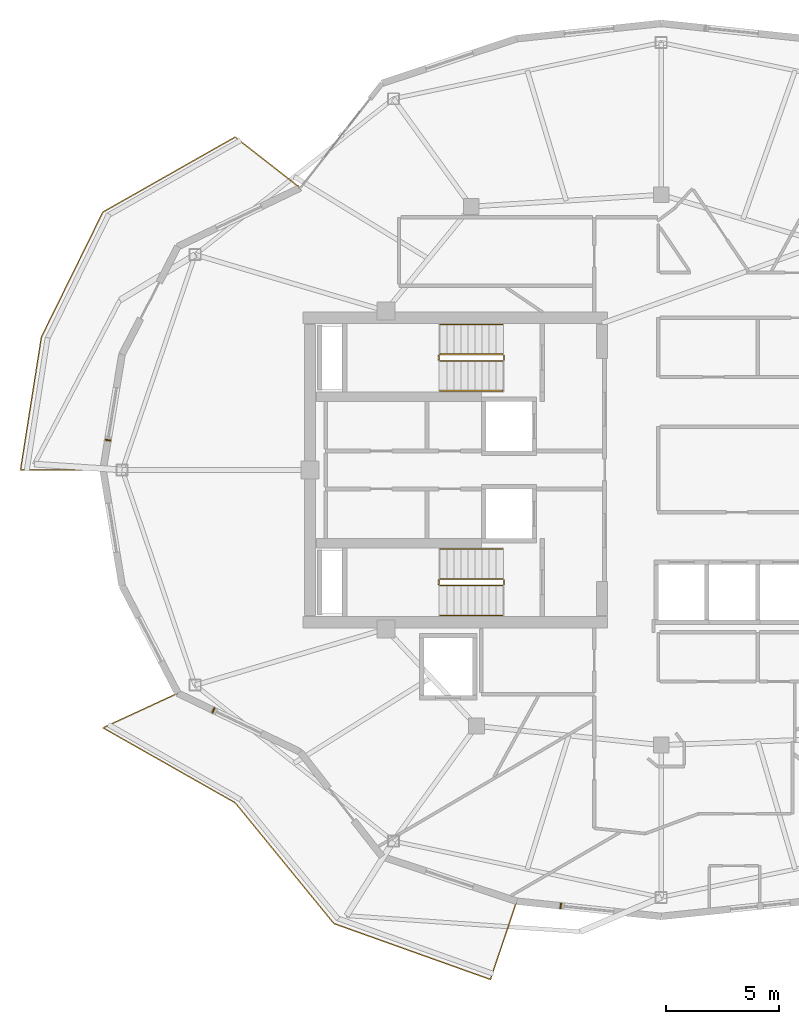
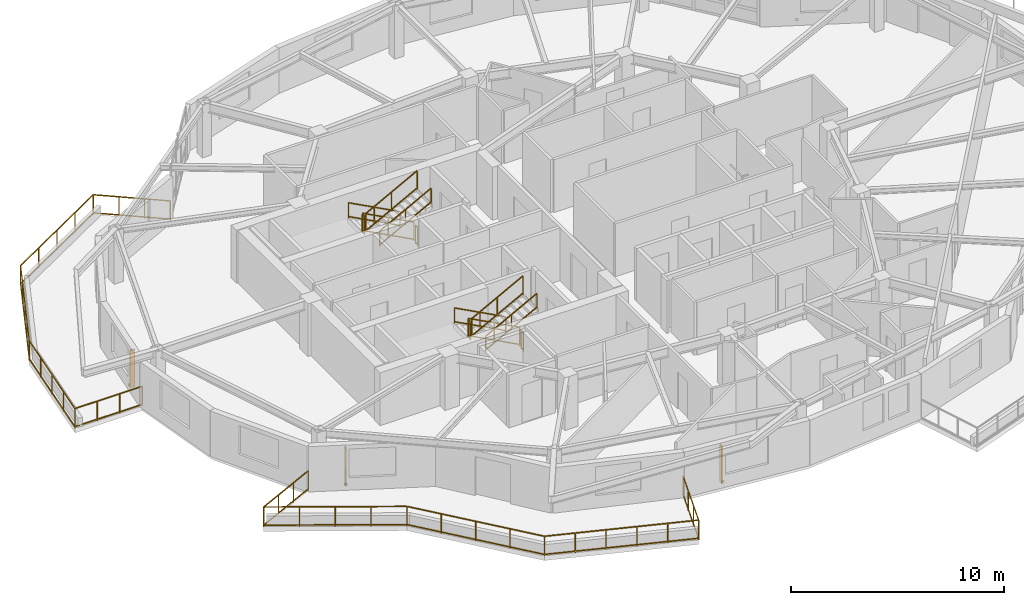
# One storey, part 10 of 12: 14 railings, 3 shading devices.
"""IFC4 building model written with IfcOpenShell, lengths in metres."""

from ifc_helpers import new_model, si_unit, direction, frame, origin, origin_2d, place, context, subcontext, project, spatial, rectangle, extrude, material, type_object, element, save


model = new_model("IFC4")

# Units and contexts
model_context = context("Model", 3, precision=1e-05, world=origin(), true_north=direction((0.0, 1.0)))
body_context = subcontext(model_context, "Body", "Model", "MODEL_VIEW")
ifc_project = project(units=[si_unit("LENGTHUNIT", "METRE"), si_unit("AREAUNIT", "SQUARE_METRE"), si_unit("VOLUMEUNIT", "CUBIC_METRE"), si_unit("PLANEANGLEUNIT", "RADIAN"), si_unit("MASSUNIT", "GRAM", prefix="KILO")], contexts=[model_context])

# Site, building, storey
site_placement = place(None, origin())
site = spatial("IfcSite", under=ifc_project, at=site_placement, CompositionType="ELEMENT")
building_placement = place(site_placement, origin())
building = spatial("IfcBuilding", under=site, at=building_placement, Name="Kolvaren Gate Tower and Convention Centre", CompositionType="ELEMENT")
storey_placement = place(building_placement, frame((0.0, 0.0, 199.699951171875)))
storey = spatial("IfcBuildingStorey", under=building, at=storey_placement, Name="L52", CompositionType="ELEMENT", Elevation=199.699951171875)

# Railings
ifc_material_1 = material(Name="Brushed Stainless Steel Grade 316L", Category="steel")
railing_type_1 = type_object("IfcRailingType", Name="ARCH-RL-GUARD-1150", PredefinedType="GUARDRAIL", material=ifc_material_1)
railing_1_placement = place(storey_placement, frame((23.10009765625, 32.1298828125, 0.1650390625)))
element("IfcRailing", 1, at=railing_1_placement, inside=storey, type_object=railing_type_1, Name="L52 ST-T1 stair guard 1", PredefinedType="GUARDRAIL", context=body_context, shape_type="SweptSolid", body=[
    extrude(rectangle(XDim=0.048095703125, YDim=0.048095703125, at=origin_2d()), frame((0.0, 0.0, 1.076171875), z_axis=(-0.882735390775, 0.0, 0.469870439454), x_axis=(0.0, -1.0, 0.0)), (0.0, 0.0, 1.0), 3.16064453125),
    extrude(rectangle(XDim=0.048095703125, YDim=0.048095703125, at=origin_2d()), frame((0.0, 0.0, 0.083984375), z_axis=(-0.882735390775, 0.0, 0.469870439454), x_axis=(0.0, -1.0, 0.0)), (0.0, 0.0, 1.0), 3.16064453125),
    extrude(rectangle(XDim=0.0419921875, YDim=0.0419921875, at=origin_2d()), origin(), (0.0, 0.0, 1.0), 1.050048828125),
    extrude(rectangle(XDim=0.0419921875, YDim=0.0419921875, at=origin_2d()), frame((-2.7900390625, 0.0, 1.485107421875)), (0.0, 0.0, 1.0), 1.050048828125),
    extrude(rectangle(XDim=0.0419921875, YDim=0.0419921875, at=origin_2d()), frame((-1.39501953125, 0.0, 0.74267578125)), (0.0, 0.0, 1.0), 1.050048828125),
])
railing_2_placement = place(storey_placement, frame((20.260009765625, 32.080078125, 1.650146484375)))
element("IfcRailing", 2, at=railing_2_placement, inside=storey, type_object=railing_type_1, Name="L52 ST-T1 stair guard 2", PredefinedType="GUARDRAIL", context=body_context, shape_type="SweptSolid", body=[
    extrude(rectangle(XDim=0.048095703125, YDim=0.048095703125, at=origin_2d()), frame((0.0, 0.0, 1.076171875), z_axis=(0.0, -1.0, 0.0), x_axis=(1.0, 0.0, 0.0)), (0.0, 0.0, 1.0), 0.2001953125),
    extrude(rectangle(XDim=0.048095703125, YDim=0.048095703125, at=origin_2d()), frame((0.0, 0.0, 0.083984375), z_axis=(0.0, -1.0, 0.0), x_axis=(1.0, 0.0, 0.0)), (0.0, 0.0, 1.0), 0.2001953125),
    extrude(rectangle(XDim=0.0419921875, YDim=0.0419921875, at=origin_2d()), origin(), (0.0, 0.0, 1.0), 1.050048828125),
    extrude(rectangle(XDim=0.0419921875, YDim=0.0419921875, at=origin_2d()), frame((0.0, -0.2001953125, 0.0)), (0.0, 0.0, 1.0), 1.050048828125),
])
railing_3_placement = place(storey_placement, frame((20.31005859375, 31.830078125, 1.81494140625)))
element("IfcRailing", 3, at=railing_3_placement, inside=storey, type_object=railing_type_1, Name="L52 ST-T1 stair guard 3", PredefinedType="GUARDRAIL", context=body_context, shape_type="SweptSolid", body=[
    extrude(rectangle(XDim=0.048095703125, YDim=0.048095703125, at=origin_2d()), frame((0.0, 0.0, 1.076171875), z_axis=(0.882735390775, 0.0, 0.469870439454), x_axis=(0.0, 1.0, 0.0)), (0.0, 0.0, 1.0), 3.16064453125),
    extrude(rectangle(XDim=0.048095703125, YDim=0.048095703125, at=origin_2d()), frame((0.0, 0.0, 0.083984375), z_axis=(0.882735390775, 0.0, 0.469870439454), x_axis=(0.0, 1.0, 0.0)), (0.0, 0.0, 1.0), 3.16064453125),
    extrude(rectangle(XDim=0.0419921875, YDim=0.0419921875, at=origin_2d()), origin(), (0.0, 0.0, 1.0), 1.050048828125),
    extrude(rectangle(XDim=0.0419921875, YDim=0.0419921875, at=origin_2d()), frame((2.7900390625, 0.0, 1.485107421875)), (0.0, 0.0, 1.0), 1.050048828125),
    extrude(rectangle(XDim=0.0419921875, YDim=0.0419921875, at=origin_2d()), frame((1.39501953125, 0.0, 0.74267578125)), (0.0, 0.0, 1.0), 1.050048828125),
])
railing_4_placement = place(storey_placement, frame((23.14990234375, 32.080078125, 0.0)))
element("IfcRailing", 4, at=railing_4_placement, inside=storey, type_object=railing_type_1, Name="L52 ST-T1 stair guard 4", PredefinedType="GUARDRAIL", context=body_context, shape_type="SweptSolid", body=[
    extrude(rectangle(XDim=0.048095703125, YDim=0.048095703125, at=origin_2d()), frame((0.0, 0.0, 1.076171875), z_axis=(0.0, -1.0, 0.0), x_axis=(1.0, 0.0, 0.0)), (0.0, 0.0, 1.0), 0.2001953125),
    extrude(rectangle(XDim=0.048095703125, YDim=0.048095703125, at=origin_2d()), frame((0.0, 0.0, 0.083984375), z_axis=(0.0, -1.0, 0.0), x_axis=(1.0, 0.0, 0.0)), (0.0, 0.0, 1.0), 0.2001953125),
    extrude(rectangle(XDim=0.0419921875, YDim=0.0419921875, at=origin_2d()), origin(), (0.0, 0.0, 1.0), 1.050048828125),
    extrude(rectangle(XDim=0.0419921875, YDim=0.0419921875, at=origin_2d()), frame((0.0, -0.2001953125, 0.0)), (0.0, 0.0, 1.0), 1.050048828125),
])
railing_5_placement = place(storey_placement, frame((23.10009765625, 22.169921875, 0.1650390625)))
element("IfcRailing", 5, at=railing_5_placement, inside=storey, type_object=railing_type_1, Name="L52 ST-T2 stair guard 1", PredefinedType="GUARDRAIL", context=body_context, shape_type="SweptSolid", body=[
    extrude(rectangle(XDim=0.048095703125, YDim=0.048095703125, at=origin_2d()), frame((0.0, 0.0, 1.076171875), z_axis=(-0.882735390775, 0.0, 0.469870439454), x_axis=(0.0, -1.0, 0.0)), (0.0, 0.0, 1.0), 3.16064453125),
    extrude(rectangle(XDim=0.048095703125, YDim=0.048095703125, at=origin_2d()), frame((0.0, 0.0, 0.083984375), z_axis=(-0.882735390775, 0.0, 0.469870439454), x_axis=(0.0, -1.0, 0.0)), (0.0, 0.0, 1.0), 3.16064453125),
    extrude(rectangle(XDim=0.0419921875, YDim=0.0419921875, at=origin_2d()), origin(), (0.0, 0.0, 1.0), 1.050048828125),
    extrude(rectangle(XDim=0.0419921875, YDim=0.0419921875, at=origin_2d()), frame((-2.7900390625, 0.0, 1.485107421875)), (0.0, 0.0, 1.0), 1.050048828125),
    extrude(rectangle(XDim=0.0419921875, YDim=0.0419921875, at=origin_2d()), frame((-1.39501953125, 0.0, 0.74267578125)), (0.0, 0.0, 1.0), 1.050048828125),
])
railing_6_placement = place(storey_placement, frame((20.260009765625, 22.1201171875, 1.650146484375)))
element("IfcRailing", 6, at=railing_6_placement, inside=storey, type_object=railing_type_1, Name="L52 ST-T2 stair guard 2", PredefinedType="GUARDRAIL", context=body_context, shape_type="SweptSolid", body=[
    extrude(rectangle(XDim=0.048095703125, YDim=0.048095703125, at=origin_2d()), frame((0.0, 0.0, 1.076171875), z_axis=(0.0, -1.0, 0.0), x_axis=(1.0, 0.0, 0.0)), (0.0, 0.0, 1.0), 0.2001953125),
    extrude(rectangle(XDim=0.048095703125, YDim=0.048095703125, at=origin_2d()), frame((0.0, 0.0, 0.083984375), z_axis=(0.0, -1.0, 0.0), x_axis=(1.0, 0.0, 0.0)), (0.0, 0.0, 1.0), 0.2001953125),
    extrude(rectangle(XDim=0.0419921875, YDim=0.0419921875, at=origin_2d()), origin(), (0.0, 0.0, 1.0), 1.050048828125),
    extrude(rectangle(XDim=0.0419921875, YDim=0.0419921875, at=origin_2d()), frame((0.0, -0.2001953125, 0.0)), (0.0, 0.0, 1.0), 1.050048828125),
])
railing_7_placement = place(storey_placement, frame((20.31005859375, 21.8701171875, 1.81494140625)))
element("IfcRailing", 7, at=railing_7_placement, inside=storey, type_object=railing_type_1, Name="L52 ST-T2 stair guard 3", PredefinedType="GUARDRAIL", context=body_context, shape_type="SweptSolid", body=[
    extrude(rectangle(XDim=0.048095703125, YDim=0.048095703125, at=origin_2d()), frame((0.0, 0.0, 1.076171875), z_axis=(0.882735390775, 0.0, 0.469870439454), x_axis=(0.0, 1.0, 0.0)), (0.0, 0.0, 1.0), 3.16064453125),
    extrude(rectangle(XDim=0.048095703125, YDim=0.048095703125, at=origin_2d()), frame((0.0, 0.0, 0.083984375), z_axis=(0.882735390775, 0.0, 0.469870439454), x_axis=(0.0, 1.0, 0.0)), (0.0, 0.0, 1.0), 3.16064453125),
    extrude(rectangle(XDim=0.0419921875, YDim=0.0419921875, at=origin_2d()), origin(), (0.0, 0.0, 1.0), 1.050048828125),
    extrude(rectangle(XDim=0.0419921875, YDim=0.0419921875, at=origin_2d()), frame((2.7900390625, 0.0, 1.485107421875)), (0.0, 0.0, 1.0), 1.050048828125),
    extrude(rectangle(XDim=0.0419921875, YDim=0.0419921875, at=origin_2d()), frame((1.39501953125, 0.0, 0.74267578125)), (0.0, 0.0, 1.0), 1.050048828125),
])
railing_8_placement = place(storey_placement, frame((23.14990234375, 22.1201171875, 0.0)))
element("IfcRailing", 8, at=railing_8_placement, inside=storey, type_object=railing_type_1, Name="L52 ST-T2 stair guard 4", PredefinedType="GUARDRAIL", context=body_context, shape_type="SweptSolid", body=[
    extrude(rectangle(XDim=0.048095703125, YDim=0.048095703125, at=origin_2d()), frame((0.0, 0.0, 1.076171875), z_axis=(0.0, -1.0, 0.0), x_axis=(1.0, 0.0, 0.0)), (0.0, 0.0, 1.0), 0.2001953125),
    extrude(rectangle(XDim=0.048095703125, YDim=0.048095703125, at=origin_2d()), frame((0.0, 0.0, 0.083984375), z_axis=(0.0, -1.0, 0.0), x_axis=(1.0, 0.0, 0.0)), (0.0, 0.0, 1.0), 0.2001953125),
    extrude(rectangle(XDim=0.0419921875, YDim=0.0419921875, at=origin_2d()), origin(), (0.0, 0.0, 1.0), 1.050048828125),
    extrude(rectangle(XDim=0.0419921875, YDim=0.0419921875, at=origin_2d()), frame((0.0, -0.2001953125, 0.0)), (0.0, 0.0, 1.0), 1.050048828125),
])
railing_9_placement = place(storey_placement, frame((14.117431640625, 39.50732421875, 0.0)))
element("IfcRailing", 9, at=railing_9_placement, inside=storey, type_object=railing_type_1, Name="Tower L52 Terrace Perimeter Guardrail GR-2", PredefinedType="GUARDRAIL", context=body_context, shape_type="SweptSolid", body=[
    extrude(rectangle(XDim=0.048095703125, YDim=0.048095703125, at=origin_2d()), frame((-0.022216796875, 0.017333984375, 1.1259765625), z_axis=(-0.787988976981, 0.61568934712, 0.0), x_axis=(-0.61568934712, -0.787988976981, 0.0)), (0.0, 0.0, 1.0), 3.60400390625),
    extrude(rectangle(XDim=0.048095703125, YDim=0.048095703125, at=origin_2d()), frame((-0.022216796875, 0.017333984375, 0.083984375), z_axis=(-0.787988976981, 0.61568934712, 0.0), x_axis=(-0.61568934712, -0.787988976981, 0.0)), (0.0, 0.0, 1.0), 3.60400390625),
    extrude(rectangle(XDim=0.048095703125, YDim=0.048095703125, at=origin_2d()), frame((-2.908447265625, 2.239501953125, 1.1259765625), z_axis=(-0.869876155964, -0.493270182846, 0.0), x_axis=(0.493270182846, -0.869876155964, 0.0)), (0.0, 0.0, 1.0), 6.6865234375),
    extrude(rectangle(XDim=0.048095703125, YDim=0.048095703125, at=origin_2d()), frame((-2.908447265625, 2.239501953125, 0.083984375), z_axis=(-0.869876155964, -0.493270182846, 0.0), x_axis=(0.493270182846, -0.869876155964, 0.0)), (0.0, 0.0, 1.0), 6.6865234375),
    extrude(rectangle(XDim=0.048095703125, YDim=0.048095703125, at=origin_2d()), frame((-8.76171875, -1.09765625, 1.1259765625), z_axis=(-0.441625304244, -0.897199582396, 0.0), x_axis=(0.897199582396, -0.441625304244, 0.0)), (0.0, 0.0, 1.0), 6.122314453125),
    extrude(rectangle(XDim=0.048095703125, YDim=0.048095703125, at=origin_2d()), frame((-8.76171875, -1.09765625, 0.083984375), z_axis=(-0.441625304244, -0.897199582396, 0.0), x_axis=(0.897199582396, -0.441625304244, 0.0)), (0.0, 0.0, 1.0), 6.122314453125),
    extrude(rectangle(XDim=0.048095703125, YDim=0.048095703125, at=origin_2d()), frame((-11.482177734375, -6.643310546875, 1.1259765625), z_axis=(-0.155031225865, -0.987909570258, 0.0), x_axis=(0.987909570258, -0.155031225865, 0.0)), (0.0, 0.0, 1.0), 5.90771484375),
    extrude(rectangle(XDim=0.048095703125, YDim=0.048095703125, at=origin_2d()), frame((-11.482177734375, -6.643310546875, 0.083984375), z_axis=(-0.155031225865, -0.987909570258, 0.0), x_axis=(0.987909570258, -0.155031225865, 0.0)), (0.0, 0.0, 1.0), 5.90771484375),
    extrude(rectangle(XDim=0.048095703125, YDim=0.048095703125, at=origin_2d()), frame((-12.374267578125, -12.50732421875, 1.1259765625), z_axis=(1.0, 0.0, 0.0), x_axis=(0.0, 1.0, 0.0)), (0.0, 0.0, 1.0), 3.603759765625),
    extrude(rectangle(XDim=0.048095703125, YDim=0.048095703125, at=origin_2d()), frame((-12.374267578125, -12.50732421875, 0.083984375), z_axis=(1.0, 0.0, 0.0), x_axis=(0.0, 1.0, 0.0)), (0.0, 0.0, 1.0), 3.603759765625),
    extrude(rectangle(XDim=0.0419921875, YDim=0.0419921875, at=origin_2d()), origin(), (0.0, 0.0, 1.0), 1.14990234375),
    extrude(rectangle(XDim=0.0419921875, YDim=0.0419921875, at=origin_2d()), frame((-2.884033203125, 2.25341796875, 0.0)), (0.0, 0.0, 1.0), 1.14990234375),
    extrude(rectangle(XDim=0.0419921875, YDim=0.0419921875, at=origin_2d()), frame((-0.96142578125, 0.751220703125, 0.0)), (0.0, 0.0, 1.0), 1.099853515625),
    extrude(rectangle(XDim=0.0419921875, YDim=0.0419921875, at=origin_2d()), frame((-1.922607421875, 1.502197265625, 0.0)), (0.0, 0.0, 1.0), 1.099853515625),
    extrude(rectangle(XDim=0.0419921875, YDim=0.0419921875, at=origin_2d()), frame((-8.749267578125, -1.072509765625, 0.0)), (0.0, 0.0, 1.0), 1.14990234375),
    extrude(rectangle(XDim=0.0419921875, YDim=0.0419921875, at=origin_2d()), frame((-4.350341796875, 1.421875, 0.0)), (0.0, 0.0, 1.0), 1.099853515625),
    extrude(rectangle(XDim=0.0419921875, YDim=0.0419921875, at=origin_2d()), frame((-5.816650390625, 0.59033203125, 0.0)), (0.0, 0.0, 1.0), 1.099853515625),
    extrude(rectangle(XDim=0.0419921875, YDim=0.0419921875, at=origin_2d()), frame((-7.282958984375, -0.240966796875, 0.0)), (0.0, 0.0, 1.0), 1.099853515625),
    extrude(rectangle(XDim=0.0419921875, YDim=0.0419921875, at=origin_2d()), frame((-11.477783203125, -6.61572265625, 0.0)), (0.0, 0.0, 1.0), 1.14990234375),
    extrude(rectangle(XDim=0.0419921875, YDim=0.0419921875, at=origin_2d()), frame((-9.431396484375, -2.458251953125, 0.0)), (0.0, 0.0, 1.0), 1.099853515625),
    extrude(rectangle(XDim=0.0419921875, YDim=0.0419921875, at=origin_2d()), frame((-10.113525390625, -3.84423828125, 0.0)), (0.0, 0.0, 1.0), 1.099853515625),
    extrude(rectangle(XDim=0.0419921875, YDim=0.0419921875, at=origin_2d()), frame((-10.795654296875, -5.22998046875, 0.0)), (0.0, 0.0, 1.0), 1.099853515625),
    extrude(rectangle(XDim=0.0419921875, YDim=0.0419921875, at=origin_2d()), frame((-12.40234375, -12.50732421875, 0.0)), (0.0, 0.0, 1.0), 1.14990234375),
    extrude(rectangle(XDim=0.0419921875, YDim=0.0419921875, at=origin_2d()), frame((-11.708984375, -8.088623046875, 0.0)), (0.0, 0.0, 1.0), 1.099853515625),
    extrude(rectangle(XDim=0.0419921875, YDim=0.0419921875, at=origin_2d()), frame((-11.93994140625, -9.5615234375, 0.0)), (0.0, 0.0, 1.0), 1.099853515625),
    extrude(rectangle(XDim=0.0419921875, YDim=0.0419921875, at=origin_2d()), frame((-12.171142578125, -11.034423828125, 0.0)), (0.0, 0.0, 1.0), 1.099853515625),
    extrude(rectangle(XDim=0.0419921875, YDim=0.0419921875, at=origin_2d()), frame((-8.742431640625, -12.50732421875, 0.0)), (0.0, 0.0, 1.0), 1.14990234375),
    extrude(rectangle(XDim=0.0419921875, YDim=0.0419921875, at=origin_2d()), frame((-11.182373046875, -12.50732421875, 0.0)), (0.0, 0.0, 1.0), 1.099853515625),
    extrude(rectangle(XDim=0.0419921875, YDim=0.0419921875, at=origin_2d()), frame((-9.96240234375, -12.50732421875, 0.0)), (0.0, 0.0, 1.0), 1.099853515625),
])
railing_10_placement = place(storey_placement, frame((8.69091796875, 17.10009765625, 0.0)))
element("IfcRailing", 10, at=railing_10_placement, inside=storey, type_object=railing_type_1, Name="Tower L52 Terrace Perimeter Guardrail GR-3", PredefinedType="GUARDRAIL", context=body_context, shape_type="SweptSolid", body=[
    extrude(rectangle(XDim=0.048095703125, YDim=0.048095703125, at=origin_2d()), frame((-0.025390625, -0.01171875, 1.1259765625), z_axis=(-0.907820723829, -0.419358478377, 0.0), x_axis=(0.419358478377, -0.907820723829, 0.0)), (0.0, 0.0, 1.0), 3.60400390625),
    extrude(rectangle(XDim=0.048095703125, YDim=0.048095703125, at=origin_2d()), frame((-0.025390625, -0.01171875, 0.083984375), z_axis=(-0.907820723829, -0.419358478377, 0.0), x_axis=(0.419358478377, -0.907820723829, 0.0)), (0.0, 0.0, 1.0), 3.60400390625),
    extrude(rectangle(XDim=0.048095703125, YDim=0.048095703125, at=origin_2d()), frame((-3.29833984375, -1.548828125, 1.1259765625), z_axis=(0.869876155964, -0.493270182846, 0.0), x_axis=(0.493270182846, 0.869876155964, 0.0)), (0.0, 0.0, 1.0), 6.6865234375),
    extrude(rectangle(XDim=0.048095703125, YDim=0.048095703125, at=origin_2d()), frame((-3.29833984375, -1.548828125, 0.083984375), z_axis=(0.869876155964, -0.493270182846, 0.0), x_axis=(0.493270182846, 0.869876155964, 0.0)), (0.0, 0.0, 1.0), 6.6865234375),
    extrude(rectangle(XDim=0.048095703125, YDim=0.048095703125, at=origin_2d()), frame((2.560302734375, -4.882568359375, 1.1259765625), z_axis=(0.632718487063, -0.77438189295, 0.0), x_axis=(0.77438189295, 0.632718487063, 0.0)), (0.0, 0.0, 1.0), 6.858154296875),
    extrude(rectangle(XDim=0.048095703125, YDim=0.048095703125, at=origin_2d()), frame((2.560302734375, -4.882568359375, 0.083984375), z_axis=(0.632718487063, -0.77438189295, 0.0), x_axis=(0.77438189295, 0.632718487063, 0.0)), (0.0, 0.0, 1.0), 6.858154296875),
    extrude(rectangle(XDim=0.048095703125, YDim=0.048095703125, at=origin_2d()), frame((6.943603515625, -10.224609375, 1.1259765625), z_axis=(0.941783827204, -0.336219010197, 0.0), x_axis=(0.336219010197, 0.941783827204, 0.0)), (0.0, 0.0, 1.0), 7.322265625),
    extrude(rectangle(XDim=0.048095703125, YDim=0.048095703125, at=origin_2d()), frame((6.943603515625, -10.224609375, 0.083984375), z_axis=(0.941783827204, -0.336219010197, 0.0), x_axis=(0.336219010197, 0.941783827204, 0.0)), (0.0, 0.0, 1.0), 7.322265625),
    extrude(rectangle(XDim=0.048095703125, YDim=0.048095703125, at=origin_2d()), frame((13.874755859375, -12.669189453125, 1.1259765625), z_axis=(0.317588247294, 0.948228719867, 0.0), x_axis=(-0.948228719867, 0.317588247294, 0.0)), (0.0, 0.0, 1.0), 3.603759765625),
    extrude(rectangle(XDim=0.048095703125, YDim=0.048095703125, at=origin_2d()), frame((13.874755859375, -12.669189453125, 0.083984375), z_axis=(0.317588247294, 0.948228719867, 0.0), x_axis=(-0.948228719867, 0.317588247294, 0.0)), (0.0, 0.0, 1.0), 3.603759765625),
    extrude(rectangle(XDim=0.0419921875, YDim=0.0419921875, at=origin_2d()), origin(), (0.0, 0.0, 1.0), 1.14990234375),
    extrude(rectangle(XDim=0.0419921875, YDim=0.0419921875, at=origin_2d()), frame((-3.32275390625, -1.534912109375, 0.0)), (0.0, 0.0, 1.0), 1.14990234375),
    extrude(rectangle(XDim=0.0419921875, YDim=0.0419921875, at=origin_2d()), frame((-1.107666015625, -0.51171875, 0.0)), (0.0, 0.0, 1.0), 1.099853515625),
    extrude(rectangle(XDim=0.0419921875, YDim=0.0419921875, at=origin_2d()), frame((-2.215087890625, -1.023193359375, 0.0)), (0.0, 0.0, 1.0), 1.099853515625),
    extrude(rectangle(XDim=0.0419921875, YDim=0.0419921875, at=origin_2d()), frame((2.54248046875, -4.86083984375, 0.0)), (0.0, 0.0, 1.0), 1.14990234375),
    extrude(rectangle(XDim=0.0419921875, YDim=0.0419921875, at=origin_2d()), frame((-1.8564453125, -2.366455078125, 0.0)), (0.0, 0.0, 1.0), 1.099853515625),
    extrude(rectangle(XDim=0.0419921875, YDim=0.0419921875, at=origin_2d()), frame((-0.39013671875, -3.19775390625, 0.0)), (0.0, 0.0, 1.0), 1.099853515625),
    extrude(rectangle(XDim=0.0419921875, YDim=0.0419921875, at=origin_2d()), frame((1.076171875, -4.029296875, 0.0)), (0.0, 0.0, 1.0), 1.099853515625),
    extrude(rectangle(XDim=0.0419921875, YDim=0.0419921875, at=origin_2d()), frame((6.917236328125, -10.215087890625, 0.0)), (0.0, 0.0, 1.0), 1.14990234375),
    extrude(rectangle(XDim=0.0419921875, YDim=0.0419921875, at=origin_2d()), frame((3.63623046875, -6.199462890625, 0.0)), (0.0, 0.0, 1.0), 1.099853515625),
    extrude(rectangle(XDim=0.0419921875, YDim=0.0419921875, at=origin_2d()), frame((4.72998046875, -7.5380859375, 0.0)), (0.0, 0.0, 1.0), 1.099853515625),
    extrude(rectangle(XDim=0.0419921875, YDim=0.0419921875, at=origin_2d()), frame((5.823486328125, -8.87646484375, 0.0)), (0.0, 0.0, 1.0), 1.099853515625),
    extrude(rectangle(XDim=0.0419921875, YDim=0.0419921875, at=origin_2d()), frame((13.865966796875, -12.69580078125, 0.0)), (0.0, 0.0, 1.0), 1.14990234375),
    extrude(rectangle(XDim=0.0419921875, YDim=0.0419921875, at=origin_2d()), frame((8.306884765625, -10.711181640625, 0.0)), (0.0, 0.0, 1.0), 1.099853515625),
    extrude(rectangle(XDim=0.0419921875, YDim=0.0419921875, at=origin_2d()), frame((9.69677734375, -11.207275390625, 0.0)), (0.0, 0.0, 1.0), 1.099853515625),
    extrude(rectangle(XDim=0.0419921875, YDim=0.0419921875, at=origin_2d()), frame((11.08642578125, -11.70361328125, 0.0)), (0.0, 0.0, 1.0), 1.099853515625),
    extrude(rectangle(XDim=0.0419921875, YDim=0.0419921875, at=origin_2d()), frame((12.476318359375, -12.19970703125, 0.0)), (0.0, 0.0, 1.0), 1.099853515625),
    extrude(rectangle(XDim=0.0419921875, YDim=0.0419921875, at=origin_2d()), frame((15.0283203125, -9.225341796875, 0.0)), (0.0, 0.0, 1.0), 1.14990234375),
    extrude(rectangle(XDim=0.0419921875, YDim=0.0419921875, at=origin_2d()), frame((14.25341796875, -11.5390625, 0.0)), (0.0, 0.0, 1.0), 1.099853515625),
    extrude(rectangle(XDim=0.0419921875, YDim=0.0419921875, at=origin_2d()), frame((14.640869140625, -10.382080078125, 0.0)), (0.0, 0.0, 1.0), 1.099853515625),
])
railing_type_2 = type_object("IfcRailingType", Name="ARCH-RL-HANDRAIL-920", PredefinedType="HANDRAIL", material=ifc_material_1)
railing_11_placement = place(storey_placement, frame((23.10009765625, 33.449951171875, 0.1650390625)))
element("IfcRailing", 11, at=railing_11_placement, inside=storey, type_object=railing_type_2, Name="L52 ST-T1 stair handrail 1", PredefinedType="HANDRAIL", context=body_context, shape_type="SweptSolid", body=[
    extrude(rectangle(XDim=0.048095703125, YDim=0.048095703125, at=origin_2d()), frame((0.0, 0.0, 0.8759765625), z_axis=(-0.882735390775, 0.0, 0.469870439454), x_axis=(0.0, -1.0, 0.0)), (0.0, 0.0, 1.0), 3.16064453125),
    extrude(rectangle(XDim=0.048095703125, YDim=0.048095703125, at=origin_2d()), frame((0.0, 0.0, 0.083984375), z_axis=(-0.882735390775, 0.0, 0.469870439454), x_axis=(0.0, -1.0, 0.0)), (0.0, 0.0, 1.0), 3.16064453125),
    extrude(rectangle(XDim=0.0419921875, YDim=0.0419921875, at=origin_2d()), origin(), (0.0, 0.0, 1.0), 0.849853515625),
    extrude(rectangle(XDim=0.0419921875, YDim=0.0419921875, at=origin_2d()), frame((-2.7900390625, 0.0, 1.485107421875)), (0.0, 0.0, 1.0), 0.849853515625),
    extrude(rectangle(XDim=0.0419921875, YDim=0.0419921875, at=origin_2d()), frame((-1.39501953125, 0.0, 0.74267578125)), (0.0, 0.0, 1.0), 0.849853515625),
])
railing_12_placement = place(storey_placement, frame((20.31005859375, 30.510009765625, 1.81494140625)))
element("IfcRailing", 12, at=railing_12_placement, inside=storey, type_object=railing_type_2, Name="L52 ST-T1 stair handrail 2", PredefinedType="HANDRAIL", context=body_context, shape_type="SweptSolid", body=[
    extrude(rectangle(XDim=0.048095703125, YDim=0.048095703125, at=origin_2d()), frame((0.0, 0.0, 0.8759765625), z_axis=(0.882735390775, 0.0, 0.469870439454), x_axis=(0.0, 1.0, 0.0)), (0.0, 0.0, 1.0), 3.16064453125),
    extrude(rectangle(XDim=0.048095703125, YDim=0.048095703125, at=origin_2d()), frame((0.0, 0.0, 0.083984375), z_axis=(0.882735390775, 0.0, 0.469870439454), x_axis=(0.0, 1.0, 0.0)), (0.0, 0.0, 1.0), 3.16064453125),
    extrude(rectangle(XDim=0.0419921875, YDim=0.0419921875, at=origin_2d()), origin(), (0.0, 0.0, 1.0), 0.849853515625),
    extrude(rectangle(XDim=0.0419921875, YDim=0.0419921875, at=origin_2d()), frame((2.7900390625, 0.0, 1.485107421875)), (0.0, 0.0, 1.0), 0.849853515625),
    extrude(rectangle(XDim=0.0419921875, YDim=0.0419921875, at=origin_2d()), frame((1.39501953125, 0.0, 0.74267578125)), (0.0, 0.0, 1.0), 0.849853515625),
])
railing_13_placement = place(storey_placement, frame((23.10009765625, 23.489990234375, 0.1650390625)))
element("IfcRailing", 13, at=railing_13_placement, inside=storey, type_object=railing_type_2, Name="L52 ST-T2 stair handrail 1", PredefinedType="HANDRAIL", context=body_context, shape_type="SweptSolid", body=[
    extrude(rectangle(XDim=0.048095703125, YDim=0.048095703125, at=origin_2d()), frame((0.0, 0.0, 0.8759765625), z_axis=(-0.882735390775, 0.0, 0.469870439454), x_axis=(0.0, -1.0, 0.0)), (0.0, 0.0, 1.0), 3.16064453125),
    extrude(rectangle(XDim=0.048095703125, YDim=0.048095703125, at=origin_2d()), frame((0.0, 0.0, 0.083984375), z_axis=(-0.882735390775, 0.0, 0.469870439454), x_axis=(0.0, -1.0, 0.0)), (0.0, 0.0, 1.0), 3.16064453125),
    extrude(rectangle(XDim=0.0419921875, YDim=0.0419921875, at=origin_2d()), origin(), (0.0, 0.0, 1.0), 0.849853515625),
    extrude(rectangle(XDim=0.0419921875, YDim=0.0419921875, at=origin_2d()), frame((-2.7900390625, 0.0, 1.485107421875)), (0.0, 0.0, 1.0), 0.849853515625),
    extrude(rectangle(XDim=0.0419921875, YDim=0.0419921875, at=origin_2d()), frame((-1.39501953125, 0.0, 0.74267578125)), (0.0, 0.0, 1.0), 0.849853515625),
])
railing_14_placement = place(storey_placement, frame((20.31005859375, 20.550048828125, 1.81494140625)))
element("IfcRailing", 14, at=railing_14_placement, inside=storey, type_object=railing_type_2, Name="L52 ST-T2 stair handrail 2", PredefinedType="HANDRAIL", context=body_context, shape_type="SweptSolid", body=[
    extrude(rectangle(XDim=0.048095703125, YDim=0.048095703125, at=origin_2d()), frame((0.0, 0.0, 0.8759765625), z_axis=(0.882735390775, 0.0, 0.469870439454), x_axis=(0.0, 1.0, 0.0)), (0.0, 0.0, 1.0), 3.16064453125),
    extrude(rectangle(XDim=0.048095703125, YDim=0.048095703125, at=origin_2d()), frame((0.0, 0.0, 0.083984375), z_axis=(0.882735390775, 0.0, 0.469870439454), x_axis=(0.0, 1.0, 0.0)), (0.0, 0.0, 1.0), 3.16064453125),
    extrude(rectangle(XDim=0.0419921875, YDim=0.0419921875, at=origin_2d()), origin(), (0.0, 0.0, 1.0), 0.849853515625),
    extrude(rectangle(XDim=0.0419921875, YDim=0.0419921875, at=origin_2d()), frame((2.7900390625, 0.0, 1.485107421875)), (0.0, 0.0, 1.0), 0.849853515625),
    extrude(rectangle(XDim=0.0419921875, YDim=0.0419921875, at=origin_2d()), frame((1.39501953125, 0.0, 0.74267578125)), (0.0, 0.0, 1.0), 0.849853515625),
])

# Shading devices
ifc_material_2 = material(Name="Kiln-Fired Bogota Terracotta Ceramic Louvre Profile", Category="masonry")
shading_device_type = type_object("IfcShadingDeviceType", Name="ARCH-SHD-FIN-180", PredefinedType="JALOUSIE", material=ifc_material_2)
for number, where, z_axis, x_axis, name in (
    (15, (5.592041015625, 28.3193359375, 0.22021484375), (0.0, 0.0, 1.0), (0.162375401515, 0.986729055508, 0.0), "Ceramic Vertical Brise-Soleil Fin FN-L52-11"),
    (16, (10.268310546875, 16.342041015625, 0.22021484375), (0.0, 0.0, 1.0), (0.90135914581, -0.433072384555, 0.0), "Ceramic Vertical Brise-Soleil Fin FN-L52-14"),
    (17, (25.66943359375, 7.669189453125, 0.22021484375), (0.0, 0.0, 1.0), (0.994498884311, -0.104747167526, 0.0), "Ceramic Vertical Brise-Soleil Fin FN-L52-17"),
):
    element("IfcShadingDevice", number, at=place(storey_placement, frame(where, z_axis=z_axis, x_axis=x_axis)), inside=storey, type_object=shading_device_type, Name=name, PredefinedType="JALOUSIE", context=body_context, shape_type="SweptSolid", body=[
        extrude(rectangle(XDim=0.06005859375, YDim=0.239990234375, at=origin_2d()), origin(), (0.0, 0.0, 1.0), 2.14990234375),
    ])

save(model, "model.ifc")
